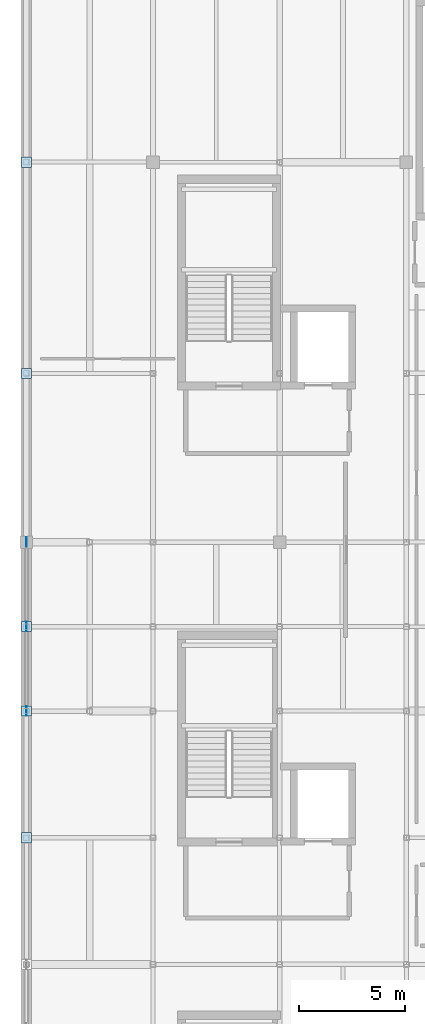
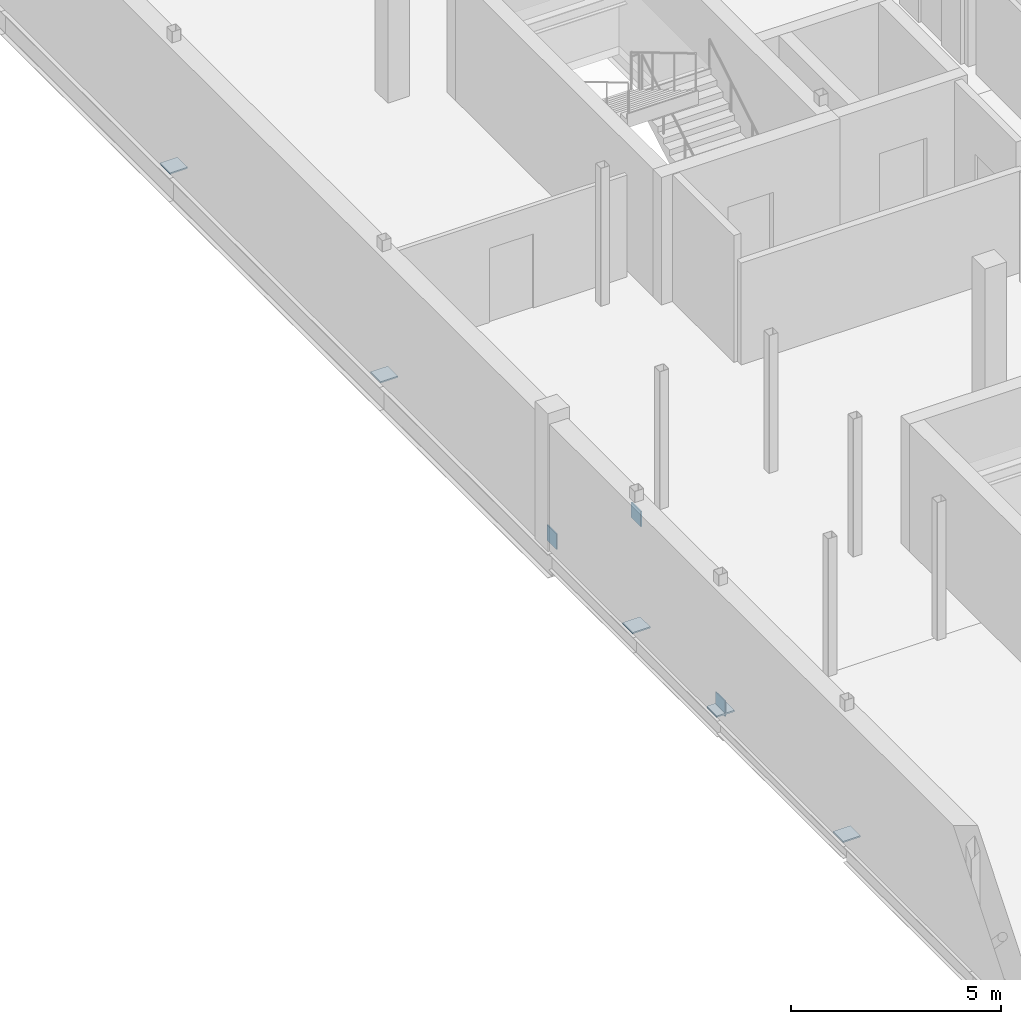
# One storey, part 27 of 35: 8 plates.
"""IFC4 building model written with IfcOpenShell, lengths in metres."""

from ifc_helpers import new_model, si_unit, direction, frame, origin, origin_2d, place, context, subcontext, project, spatial, rectangle, extrude, material, layer, layer_set, type_object, element, save


model = new_model("IFC4")

# Units and contexts
model_context = context("Model", 3, precision=1e-05, world=origin(), true_north=direction((0.0, 1.0)))
body_context = subcontext(model_context, "Body", "Model", "MODEL_VIEW")
ifc_project = project(units=[si_unit("LENGTHUNIT", "METRE"), si_unit("AREAUNIT", "SQUARE_METRE"), si_unit("VOLUMEUNIT", "CUBIC_METRE"), si_unit("PLANEANGLEUNIT", "RADIAN"), si_unit("MASSUNIT", "GRAM", prefix="KILO")], contexts=[model_context])

# Site, building, storey
site_placement = place(None, origin())
site = spatial("IfcSite", under=ifc_project, at=site_placement, CompositionType="ELEMENT")
building_placement = place(site_placement, origin())
building = spatial("IfcBuilding", under=site, at=building_placement, Name="Verrall Gate Interchange", CompositionType="ELEMENT")
storey_placement = place(building_placement, frame((0.0, 0.0, 15.39990234375)))
storey = spatial("IfcBuildingStorey", under=building, at=storey_placement, Name="L04", CompositionType="ELEMENT", Elevation=15.39990234375)

# Plates
ifc_material_1 = material(Name="Structural Steel CSA G40.21 350WT Cat 4", Category="steel")
ifc_layer_1 = layer(ifc_material_1, 0.0400390625)
ifc_layer_set_1 = layer_set([ifc_layer_1], Name="Structural Steel CSA G40.21 350WT Cat 4")
plate_type_1 = type_object("IfcPlateType", Name="BP-01 Base Plate 40", PredefinedType="USERDEFINED", material=ifc_layer_set_1)
for number, where, z_axis, x_axis, name in (
    (1, (0.0, 34.0, -0.02001953125), (0.0, 0.0, 1.0), (1.0, 0.0, 0.0), "L04 Hollow Column Transition Cap Plate 0048"),
    (2, (0.0, 40.0, -0.02001953125), (0.0, 0.0, 1.0), (1.0, 0.0, 0.0), "L04 Hollow Column Transition Cap Plate 0055"),
    (3, (0.0, 44.0, -0.02001953125), (0.0, 0.0, 1.0), (1.0, 0.0, 0.0), "L04 Hollow Column Transition Cap Plate 0062"),
    (4, (0.0, 56.0, -0.02001953125), (0.0, 0.0, 1.0), (1.0, 0.0, 0.0), "L04 Hollow Column Transition Cap Plate 0076"),
    (5, (0.0, 66.0, -0.02001953125), (0.0, 0.0, 1.0), (1.0, 0.0, 0.0), "L04 Hollow Column Transition Cap Plate 0083"),
):
    element("IfcPlate", number, at=place(storey_placement, frame(where, z_axis=z_axis, x_axis=x_axis)), inside=storey, type_object=plate_type_1, Name=name, ObjectType="BASE_PLATE", PredefinedType="USERDEFINED", context=body_context, shape_type="SweptSolid", body=[
        extrude(rectangle(XDim=0.47998046875, YDim=0.47998046875, at=origin_2d()), origin(), (0.0, 0.0, 1.0), 0.0400390625),
    ])
ifc_material_2 = material(Name="Structural Steel CSA G40.21 350WT Cat 4", Category="steel")
ifc_layer_2 = layer(ifc_material_2, 0.030029296875)
ifc_layer_set_2 = layer_set([ifc_layer_2], Name="Structural Steel CSA G40.21 350WT Cat 4")
plate_type_2 = type_object("IfcPlateType", Name="GP-02 Gusset Plate 30", PredefinedType="SHEET", material=ifc_layer_set_2)
for number, where, z_axis, x_axis, name in (
    (6, (0.0, 40.0, -0.0849609375), (0.0, 0.0, 1.0), (1.0, 0.0, 0.0), "Chevron Brace Gusset Node CBF3-L04-BA"),
    (7, (0.0, 48.0, -0.0849609375), (0.0, 0.0, 1.0), (1.0, 0.0, 0.0), "Chevron Brace Gusset Node CBF3-L04-BB"),
    (8, (0.0, 44.0, 2.9951171875), (0.0, 0.0, 1.0), (1.0, 0.0, 0.0), "Chevron Brace Gusset Node CBF3-L04-AP"),
):
    element("IfcPlate", number, at=place(storey_placement, frame(where, z_axis=z_axis, x_axis=x_axis)), inside=storey, type_object=plate_type_2, Name=name, PredefinedType="SHEET", context=body_context, shape_type="SweptSolid", body=[
        extrude(rectangle(XDim=0.030029296875, YDim=0.449951171875, at=origin_2d()), origin(), (0.0, 0.0, 1.0), 0.449951171875),
    ])

save(model, "model.ifc")
